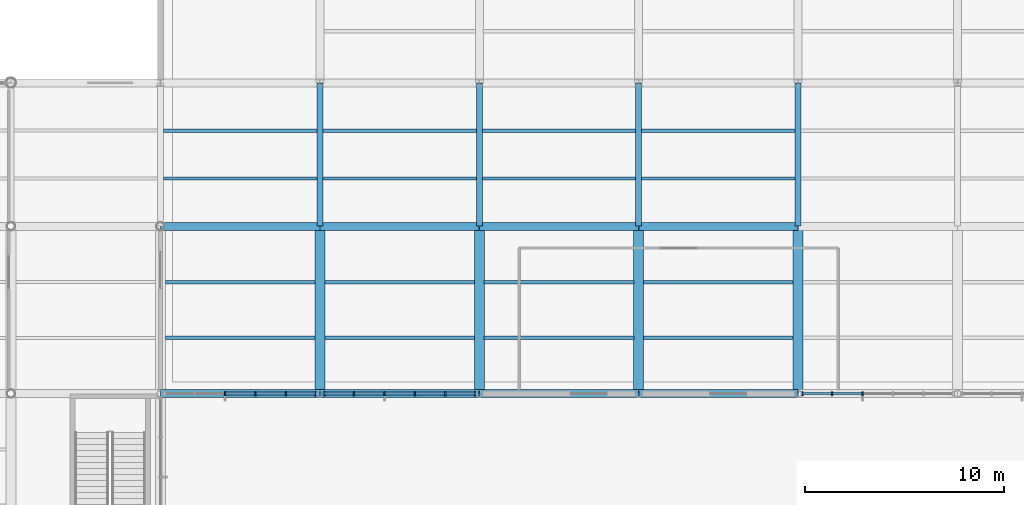
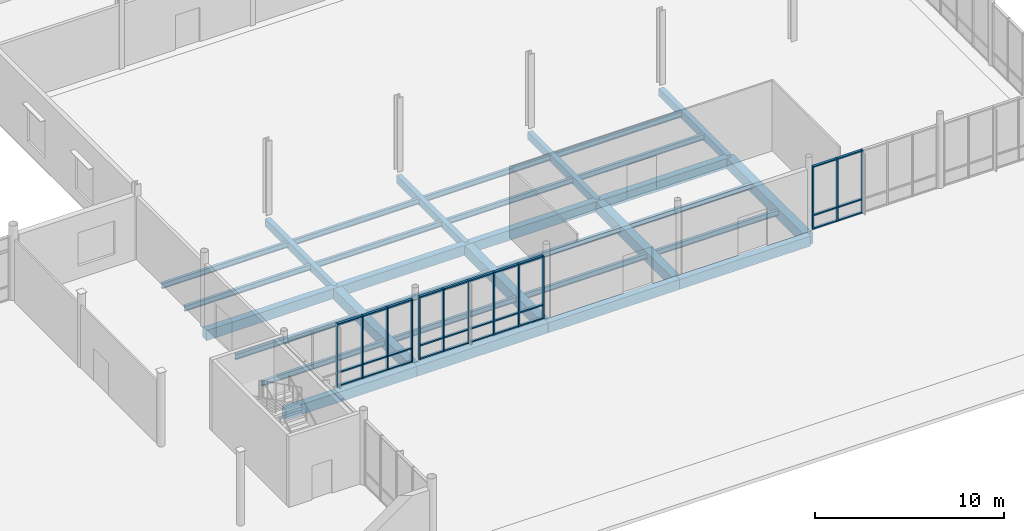
# One storey, part 23 of 82: 43 members, 32 beams, 3 elements without a shape of their own.
"""IFC4 building model written with IfcOpenShell, lengths in metres."""

from ifc_helpers import new_model, si_unit, direction, frame, origin, origin_2d, place, context, subcontext, project, spatial, rectangle, i_section, extrude, material, layer, layer_set, material_profile, profile_set, type_object, element, aggregate, save


model = new_model("IFC4")

# Units and contexts
model_context = context("Model", 3, precision=1e-05, world=origin(), true_north=direction((0.0, 1.0)))
body_context = subcontext(model_context, "Body", "Model", "MODEL_VIEW")
ifc_project = project(units=[si_unit("LENGTHUNIT", "METRE"), si_unit("AREAUNIT", "SQUARE_METRE"), si_unit("VOLUMEUNIT", "CUBIC_METRE"), si_unit("PLANEANGLEUNIT", "RADIAN"), si_unit("MASSUNIT", "GRAM", prefix="KILO")], contexts=[model_context])

# Site, building, storey
site_placement = place(None, origin())
site = spatial("IfcSite", under=ifc_project, at=site_placement, CompositionType="ELEMENT")
building_placement = place(site_placement, origin())
building = spatial("IfcBuilding", under=site, at=building_placement, Name="Yukiwa Park Conservatory and Herbarium", CompositionType="ELEMENT")
storey_placement = place(building_placement, origin())
storey = spatial("IfcBuildingStorey", under=building, at=storey_placement, Name="L00", CompositionType="ELEMENT", Elevation=0.0)

# Beams
ifc_material_1 = material(Name="Steel Q355D", Category="steel")
ifc_material_profile_1 = material_profile(ifc_material_1, i_section(OverallWidth=0.174072265625, OverallDepth=0.345947265625, WebThickness=0.006103515625, FlangeThickness=0.009033203125, FilletRadius=0.013916015625, at=origin_2d()), Name="HN 346x174x6x9")
ifc_profile_set_1 = profile_set([ifc_material_profile_1], Name="Steel Q355D")
beam_type_1 = type_object("IfcBeamType", Name="BM-JST-HN346", PredefinedType="JOIST", material=ifc_profile_set_1)
for number, where, z_axis, x_axis, name in (
    (1, (60.24609375, 18.39990234375, -0.43310546875), (1.0, 0.0, 0.0), (0.0, 1.0, 0.0), "L00 composite floor joist 89"),
    (2, (60.24609375, 21.199951171875, -0.43310546875), (1.0, 0.0, 0.0), (0.0, 1.0, 0.0), "L00 composite floor joist 90"),
):
    element("IfcBeam", number, at=place(storey_placement, frame(where, z_axis=z_axis, x_axis=x_axis)), inside=storey, type_object=beam_type_1, Name=name, PredefinedType="JOIST", context=body_context, shape_type="SweptSolid", body=[
        extrude(i_section(OverallWidth=0.174072265625, OverallDepth=0.345947265625, WebThickness=0.006103515625, FlangeThickness=0.009033203125, FilletRadius=0.013916015625, at=origin_2d()), origin(), (0.0, 0.0, 1.0), 7.5078125),
    ])
for number, where, z_axis, x_axis, name in (
    (3, (60.14599609375, 26.39990234375, -0.43310546875), (1.0, 0.0, 0.0), (0.0, 1.0, 0.0), "L00 composite floor joist 91"),
    (4, (60.14599609375, 28.800048828125, -0.43310546875), (1.0, 0.0, 0.0), (0.0, 1.0, 0.0), "L00 composite floor joist 92"),
):
    element("IfcBeam", number, at=place(storey_placement, frame(where, z_axis=z_axis, x_axis=x_axis)), inside=storey, type_object=beam_type_1, Name=name, PredefinedType="JOIST", context=body_context, shape_type="SweptSolid", body=[
        extrude(i_section(OverallWidth=0.174072265625, OverallDepth=0.345947265625, WebThickness=0.006103515625, FlangeThickness=0.009033203125, FilletRadius=0.013916015625, at=origin_2d()), origin(), (0.0, 0.0, 1.0), 7.7080078125),
    ])
for number, where, z_axis, x_axis, name in (
    (5, (68.24609375, 18.39990234375, -0.43310546875), (1.0, 0.0, 0.0), (0.0, 1.0, 0.0), "L00 composite floor joist 103"),
    (6, (68.24609375, 21.199951171875, -0.43310546875), (1.0, 0.0, 0.0), (0.0, 1.0, 0.0), "L00 composite floor joist 104"),
):
    element("IfcBeam", number, at=place(storey_placement, frame(where, z_axis=z_axis, x_axis=x_axis)), inside=storey, type_object=beam_type_1, Name=name, PredefinedType="JOIST", context=body_context, shape_type="SweptSolid", body=[
        extrude(i_section(OverallWidth=0.174072265625, OverallDepth=0.345947265625, WebThickness=0.006103515625, FlangeThickness=0.009033203125, FilletRadius=0.013916015625, at=origin_2d()), origin(), (0.0, 0.0, 1.0), 7.5078125),
    ])
for number, where, z_axis, x_axis, name in (
    (7, (68.14599609375, 26.39990234375, -0.43310546875), (1.0, 0.0, 0.0), (0.0, 1.0, 0.0), "L00 composite floor joist 105"),
    (8, (68.14599609375, 28.800048828125, -0.43310546875), (1.0, 0.0, 0.0), (0.0, 1.0, 0.0), "L00 composite floor joist 106"),
):
    element("IfcBeam", number, at=place(storey_placement, frame(where, z_axis=z_axis, x_axis=x_axis)), inside=storey, type_object=beam_type_1, Name=name, PredefinedType="JOIST", context=body_context, shape_type="SweptSolid", body=[
        extrude(i_section(OverallWidth=0.174072265625, OverallDepth=0.345947265625, WebThickness=0.006103515625, FlangeThickness=0.009033203125, FilletRadius=0.013916015625, at=origin_2d()), origin(), (0.0, 0.0, 1.0), 7.7080078125),
    ])
for number, where, z_axis, x_axis, name in (
    (9, (76.24609375, 18.39990234375, -0.43310546875), (1.0, 0.0, 0.0), (0.0, 1.0, 0.0), "L00 composite floor joist 121"),
    (10, (76.24609375, 21.199951171875, -0.43310546875), (1.0, 0.0, 0.0), (0.0, 1.0, 0.0), "L00 composite floor joist 122"),
):
    element("IfcBeam", number, at=place(storey_placement, frame(where, z_axis=z_axis, x_axis=x_axis)), inside=storey, type_object=beam_type_1, Name=name, PredefinedType="JOIST", context=body_context, shape_type="SweptSolid", body=[
        extrude(i_section(OverallWidth=0.174072265625, OverallDepth=0.345947265625, WebThickness=0.006103515625, FlangeThickness=0.009033203125, FilletRadius=0.013916015625, at=origin_2d()), origin(), (0.0, 0.0, 1.0), 7.5078125),
    ])
for number, where, z_axis, x_axis, name in (
    (11, (76.14599609375, 26.39990234375, -0.43310546875), (1.0, 0.0, 0.0), (0.0, 1.0, 0.0), "L00 composite floor joist 123"),
    (12, (76.14599609375, 28.800048828125, -0.43310546875), (1.0, 0.0, 0.0), (0.0, 1.0, 0.0), "L00 composite floor joist 124"),
):
    element("IfcBeam", number, at=place(storey_placement, frame(where, z_axis=z_axis, x_axis=x_axis)), inside=storey, type_object=beam_type_1, Name=name, PredefinedType="JOIST", context=body_context, shape_type="SweptSolid", body=[
        extrude(i_section(OverallWidth=0.174072265625, OverallDepth=0.345947265625, WebThickness=0.006103515625, FlangeThickness=0.009033203125, FilletRadius=0.013916015625, at=origin_2d()), origin(), (0.0, 0.0, 1.0), 7.7080078125),
    ])
for number, where, z_axis, x_axis, name in (
    (13, (84.24609375, 18.39990234375, -0.43310546875), (1.0, 0.0, 0.0), (0.0, 1.0, 0.0), "L00 composite floor joist 135"),
    (14, (84.24609375, 21.199951171875, -0.43310546875), (1.0, 0.0, 0.0), (0.0, 1.0, 0.0), "L00 composite floor joist 136"),
):
    element("IfcBeam", number, at=place(storey_placement, frame(where, z_axis=z_axis, x_axis=x_axis)), inside=storey, type_object=beam_type_1, Name=name, PredefinedType="JOIST", context=body_context, shape_type="SweptSolid", body=[
        extrude(i_section(OverallWidth=0.174072265625, OverallDepth=0.345947265625, WebThickness=0.006103515625, FlangeThickness=0.009033203125, FilletRadius=0.013916015625, at=origin_2d()), origin(), (0.0, 0.0, 1.0), 7.5078125),
    ])
for number, where, z_axis, x_axis, name in (
    (15, (84.14599609375, 26.39990234375, -0.43310546875), (1.0, 0.0, 0.0), (0.0, 1.0, 0.0), "L00 composite floor joist 137"),
    (16, (84.14599609375, 28.800048828125, -0.43310546875), (1.0, 0.0, 0.0), (0.0, 1.0, 0.0), "L00 composite floor joist 138"),
):
    element("IfcBeam", number, at=place(storey_placement, frame(where, z_axis=z_axis, x_axis=x_axis)), inside=storey, type_object=beam_type_1, Name=name, PredefinedType="JOIST", context=body_context, shape_type="SweptSolid", body=[
        extrude(i_section(OverallWidth=0.174072265625, OverallDepth=0.345947265625, WebThickness=0.006103515625, FlangeThickness=0.009033203125, FilletRadius=0.013916015625, at=origin_2d()), origin(), (0.0, 0.0, 1.0), 7.7080078125),
    ])
ifc_material_2 = material(Name="Concrete C40", Category="concrete")
ifc_material_profile_2 = material_profile(ifc_material_2, rectangle(XDim=0.300048828125, YDim=0.5, at=origin_2d()), Name="RC 300x500")
ifc_profile_set_2 = profile_set([ifc_material_profile_2], Name="Concrete C40")
beam_type_2 = type_object("IfcBeamType", Name="BM-RC-300X500", PredefinedType="BEAM", material=ifc_profile_set_2)
for number, where, z_axis, x_axis, name in (
    (17, (68.0, 24.006103515625, -0.510009765625), (0.0, 1.0, 0.0), (-1.0, 0.0, 0.0), "L00 grid girder Y-222"),
    (18, (76.0, 24.006103515625, -0.510009765625), (0.0, 1.0, 0.0), (-1.0, 0.0, 0.0), "L00 grid girder Y-231"),
    (19, (84.0, 24.006103515625, -0.510009765625), (0.0, 1.0, 0.0), (-1.0, 0.0, 0.0), "L00 grid girder Y-240"),
    (20, (92.0, 24.006103515625, -0.510009765625), (0.0, 1.0, 0.0), (-1.0, 0.0, 0.0), "L00 grid girder Y-248"),
):
    element("IfcBeam", number, at=place(storey_placement, frame(where, z_axis=z_axis, x_axis=x_axis)), inside=storey, type_object=beam_type_2, Name=name, PredefinedType="BEAM", context=body_context, shape_type="SweptSolid", body=[
        extrude(rectangle(XDim=0.300048828125, YDim=0.5, at=origin_2d()), origin(), (0.0, 0.0, 1.0), 7.18798828125),
    ])
ifc_material_3 = material(Name="Concrete C40", Category="concrete")
ifc_material_profile_3 = material_profile(ifc_material_3, rectangle(XDim=0.39990234375, YDim=0.64990234375, at=origin_2d()), Name="RC 400x650")
ifc_profile_set_3 = profile_set([ifc_material_profile_3], Name="Concrete C40")
beam_type_3 = type_object("IfcBeamType", Name="BM-RC-400X650", PredefinedType="BEAM", material=ifc_profile_set_3)
for number, where, z_axis, x_axis, name in (
    (21, (60.006103515625, 15.60009765625, -0.5849609375), (1.0, 0.0, 0.0), (0.0, 1.0, 0.0), "L00 grid beam X-25"),
    (22, (68.006103515625, 15.60009765625, -0.5849609375), (1.0, 0.0, 0.0), (0.0, 1.0, 0.0), "L00 grid beam X-26"),
    (23, (76.006103515625, 15.60009765625, -0.5849609375), (1.0, 0.0, 0.0), (0.0, 1.0, 0.0), "L00 grid beam X-27"),
    (24, (84.006103515625, 15.60009765625, -0.5849609375), (1.0, 0.0, 0.0), (0.0, 1.0, 0.0), "L00 grid beam X-28"),
    (25, (60.006103515625, 24.0, -0.5849609375), (1.0, 0.0, 0.0), (0.0, 1.0, 0.0), "L00 grid beam X-39"),
    (26, (68.006103515625, 24.0, -0.5849609375), (1.0, 0.0, 0.0), (0.0, 1.0, 0.0), "L00 grid beam X-40"),
    (27, (76.006103515625, 24.0, -0.5849609375), (1.0, 0.0, 0.0), (0.0, 1.0, 0.0), "L00 grid beam X-41"),
    (28, (84.006103515625, 24.0, -0.5849609375), (1.0, 0.0, 0.0), (0.0, 1.0, 0.0), "L00 grid beam X-42"),
):
    element("IfcBeam", number, at=place(storey_placement, frame(where, z_axis=z_axis, x_axis=x_axis)), inside=storey, type_object=beam_type_3, Name=name, PredefinedType="BEAM", context=body_context, shape_type="SweptSolid", body=[
        extrude(rectangle(XDim=0.39990234375, YDim=0.64990234375, at=origin_2d()), origin(), (0.0, 0.0, 1.0), 7.98779296875),
    ])
ifc_material_4 = material(Name="Concrete C40", Category="concrete")
ifc_material_profile_4 = material_profile(ifc_material_4, rectangle(XDim=0.5, YDim=0.699951171875, at=origin_2d()), Name="RC 500x700")
ifc_profile_set_4 = profile_set([ifc_material_profile_4], Name="Concrete C40")
beam_type_4 = type_object("IfcBeamType", Name="BM-RC-500X700", PredefinedType="BEAM", material=ifc_profile_set_4)
for number, where, z_axis, x_axis, name in (
    (29, (68.0, 15.60595703125, -0.610107421875), (0.0, 1.0, 0.0), (-1.0, 0.0, 0.0), "L00 grid girder Y-221"),
    (30, (76.0, 15.60595703125, -0.610107421875), (0.0, 1.0, 0.0), (-1.0, 0.0, 0.0), "L00 grid girder Y-230"),
    (31, (84.0, 15.60595703125, -0.610107421875), (0.0, 1.0, 0.0), (-1.0, 0.0, 0.0), "L00 grid girder Y-239"),
    (32, (92.0, 15.60595703125, -0.610107421875), (0.0, 1.0, 0.0), (-1.0, 0.0, 0.0), "L00 grid girder Y-247"),
):
    element("IfcBeam", number, at=place(storey_placement, frame(where, z_axis=z_axis, x_axis=x_axis)), inside=storey, type_object=beam_type_4, Name=name, PredefinedType="BEAM", context=body_context, shape_type="SweptSolid", body=[
        extrude(rectangle(XDim=0.5, YDim=0.699951171875, at=origin_2d()), origin(), (0.0, 0.0, 1.0), 8.387939453125),
    ])

# Curtain wall, members
ifc_material_5 = material(Name="Triple Low-E Insulated Glass", Category="glass")
ifc_layer = layer(ifc_material_5, 0.176025390625)
ifc_layer_set = layer_set([ifc_layer], Name="Triple Low-E Insulated Glass")
curtain_wall_type = type_object("IfcCurtainWallType", Name="CW-CONCOURSE-1600", PredefinedType="NOTDEFINED", material=ifc_layer_set)
curtain_wall_1_placement = place(storey_placement, origin())
curtain_wall_1 = element("IfcCurtainWall", 33, at=curtain_wall_1_placement, inside=storey, type_object=curtain_wall_type, Name="L00 unitised curtain wall CW-L00-007", PredefinedType="NOTDEFINED")
ifc_material_6 = material(Name="Anodised Aluminium", Category="aluminium")
member_type_1 = type_object("IfcMemberType", Name="MB-CW-MUL-80X180", PredefinedType="MULLION", material=ifc_material_6)
member_1_placement = place(storey_placement, frame((63.235595703125, 15.60009765625, 0.0), z_axis=(0.0, 0.0, 1.0), x_axis=(1.0, 0.0, 0.0)))
member_1 = element("IfcMember", 34, at=member_1_placement, type_object=member_type_1, Name="CW-L00-007 mullion 3", PredefinedType="MULLION", context=body_context, shape_type="SweptSolid", body=[
    extrude(rectangle(XDim=0.080078125, YDim=0.179931640625, at=origin_2d()), origin(), (0.0, 0.0, 1.0), 4.06005859375),
])
member_2_placement = place(storey_placement, frame((64.764404296875, 15.60009765625, 0.0), z_axis=(0.0, 0.0, 1.0), x_axis=(1.0, 0.0, 0.0)))
member_2 = element("IfcMember", 35, at=member_2_placement, type_object=member_type_1, Name="CW-L00-007 mullion 4", PredefinedType="MULLION", context=body_context, shape_type="SweptSolid", body=[
    extrude(rectangle(XDim=0.080078125, YDim=0.179931640625, at=origin_2d()), origin(), (0.0, 0.0, 1.0), 4.06005859375),
])
member_3_placement = place(storey_placement, frame((66.293212890625, 15.60009765625, 0.0), z_axis=(0.0, 0.0, 1.0), x_axis=(1.0, 0.0, 0.0)))
member_3 = element("IfcMember", 36, at=member_3_placement, type_object=member_type_1, Name="CW-L00-007 mullion 5", PredefinedType="MULLION", context=body_context, shape_type="SweptSolid", body=[
    extrude(rectangle(XDim=0.080078125, YDim=0.179931640625, at=origin_2d()), origin(), (0.0, 0.0, 1.0), 4.06005859375),
])
member_4_placement = place(storey_placement, frame((67.7822265625, 15.60009765625, 0.0), z_axis=(0.0, 0.0, 1.0), x_axis=(1.0, 0.0, 0.0)))
member_4 = element("IfcMember", 37, at=member_4_placement, type_object=member_type_1, Name="CW-L00-007 mullion 6", PredefinedType="MULLION", context=body_context, shape_type="SweptSolid", body=[
    extrude(rectangle(XDim=0.080078125, YDim=0.179931640625, at=origin_2d()), origin(), (0.0, 0.0, 1.0), 4.06005859375),
])

curtain_wall_2_placement = place(storey_placement, origin())
curtain_wall_2 = element("IfcCurtainWall", 38, at=curtain_wall_2_placement, inside=storey, type_object=curtain_wall_type, Name="L00 unitised curtain wall CW-L00-008", PredefinedType="NOTDEFINED")
member_5_placement = place(storey_placement, frame((68.2177734375, 15.60009765625, 0.0), z_axis=(0.0, 0.0, 1.0), x_axis=(1.0, 0.0, 0.0)))
member_5 = element("IfcMember", 39, at=member_5_placement, type_object=member_type_1, Name="CW-L00-008 mullion 1", PredefinedType="MULLION", context=body_context, shape_type="SweptSolid", body=[
    extrude(rectangle(XDim=0.080078125, YDim=0.179931640625, at=origin_2d()), origin(), (0.0, 0.0, 1.0), 4.06005859375),
])
member_6_placement = place(storey_placement, frame((69.706787109375, 15.60009765625, 0.0), z_axis=(0.0, 0.0, 1.0), x_axis=(1.0, 0.0, 0.0)))
member_6 = element("IfcMember", 40, at=member_6_placement, type_object=member_type_1, Name="CW-L00-008 mullion 2", PredefinedType="MULLION", context=body_context, shape_type="SweptSolid", body=[
    extrude(rectangle(XDim=0.080078125, YDim=0.179931640625, at=origin_2d()), origin(), (0.0, 0.0, 1.0), 4.06005859375),
])
member_7_placement = place(storey_placement, frame((71.235595703125, 15.60009765625, 0.0), z_axis=(0.0, 0.0, 1.0), x_axis=(1.0, 0.0, 0.0)))
member_7 = element("IfcMember", 41, at=member_7_placement, type_object=member_type_1, Name="CW-L00-008 mullion 3", PredefinedType="MULLION", context=body_context, shape_type="SweptSolid", body=[
    extrude(rectangle(XDim=0.080078125, YDim=0.179931640625, at=origin_2d()), origin(), (0.0, 0.0, 1.0), 4.06005859375),
])
member_8_placement = place(storey_placement, frame((72.764404296875, 15.60009765625, 0.0), z_axis=(0.0, 0.0, 1.0), x_axis=(1.0, 0.0, 0.0)))
member_8 = element("IfcMember", 42, at=member_8_placement, type_object=member_type_1, Name="CW-L00-008 mullion 4", PredefinedType="MULLION", context=body_context, shape_type="SweptSolid", body=[
    extrude(rectangle(XDim=0.080078125, YDim=0.179931640625, at=origin_2d()), origin(), (0.0, 0.0, 1.0), 4.06005859375),
])
member_9_placement = place(storey_placement, frame((74.293212890625, 15.60009765625, 0.0), z_axis=(0.0, 0.0, 1.0), x_axis=(1.0, 0.0, 0.0)))
member_9 = element("IfcMember", 43, at=member_9_placement, type_object=member_type_1, Name="CW-L00-008 mullion 5", PredefinedType="MULLION", context=body_context, shape_type="SweptSolid", body=[
    extrude(rectangle(XDim=0.080078125, YDim=0.179931640625, at=origin_2d()), origin(), (0.0, 0.0, 1.0), 4.06005859375),
])
member_10_placement = place(storey_placement, frame((75.7822265625, 15.60009765625, 0.0), z_axis=(0.0, 0.0, 1.0), x_axis=(1.0, 0.0, 0.0)))
member_10 = element("IfcMember", 44, at=member_10_placement, type_object=member_type_1, Name="CW-L00-008 mullion 6", PredefinedType="MULLION", context=body_context, shape_type="SweptSolid", body=[
    extrude(rectangle(XDim=0.080078125, YDim=0.179931640625, at=origin_2d()), origin(), (0.0, 0.0, 1.0), 4.06005859375),
])

curtain_wall_3_placement = place(storey_placement, origin())
curtain_wall_3 = element("IfcCurtainWall", 45, at=curtain_wall_3_placement, inside=storey, type_object=curtain_wall_type, Name="L00 unitised curtain wall CW-L00-009", PredefinedType="NOTDEFINED")
member_11_placement = place(storey_placement, frame((92.2177734375, 15.60009765625, 0.0), z_axis=(0.0, 0.0, 1.0), x_axis=(1.0, 0.0, 0.0)))
member_11 = element("IfcMember", 46, at=member_11_placement, type_object=member_type_1, Name="CW-L00-009 mullion 1", PredefinedType="MULLION", context=body_context, shape_type="SweptSolid", body=[
    extrude(rectangle(XDim=0.080078125, YDim=0.179931640625, at=origin_2d()), origin(), (0.0, 0.0, 1.0), 4.06005859375),
])
member_12_placement = place(storey_placement, frame((93.706787109375, 15.60009765625, 0.0), z_axis=(0.0, 0.0, 1.0), x_axis=(1.0, 0.0, 0.0)))
member_12 = element("IfcMember", 47, at=member_12_placement, type_object=member_type_1, Name="CW-L00-009 mullion 2", PredefinedType="MULLION", context=body_context, shape_type="SweptSolid", body=[
    extrude(rectangle(XDim=0.080078125, YDim=0.179931640625, at=origin_2d()), origin(), (0.0, 0.0, 1.0), 4.06005859375),
])
member_13_placement = place(storey_placement, frame((95.235595703125, 15.60009765625, 0.0), z_axis=(0.0, 0.0, 1.0), x_axis=(1.0, 0.0, 0.0)))
member_13 = element("IfcMember", 48, at=member_13_placement, type_object=member_type_1, Name="CW-L00-009 mullion 3", PredefinedType="MULLION", context=body_context, shape_type="SweptSolid", body=[
    extrude(rectangle(XDim=0.080078125, YDim=0.179931640625, at=origin_2d()), origin(), (0.0, 0.0, 1.0), 4.06005859375),
])

# Member
ifc_material_7 = material(Name="Anodised Aluminium", Category="aluminium")
member_type_2 = type_object("IfcMemberType", Name="MB-CW-TRN-80X150", PredefinedType="USERDEFINED", material=ifc_material_7)
member_14_placement = place(storey_placement, frame((64.0, 15.60009765625, 0.0), z_axis=(0.0, 0.0, 1.0), x_axis=(1.0, 0.0, 0.0)))
member_14 = element("IfcMember", 49, at=member_14_placement, type_object=member_type_2, Name="CW-L00-007 transom 3.1", ObjectType="TRANSOM", PredefinedType="USERDEFINED", context=body_context, shape_type="SweptSolid", body=[
    extrude(rectangle(XDim=1.448974609375, YDim=0.14990234375, at=origin_2d()), origin(), (0.0, 0.0, 1.0), 0.080078125),
])

member_15_placement = place(storey_placement, frame((64.0, 15.60009765625, 0.85986328125), z_axis=(0.0, 0.0, 1.0), x_axis=(1.0, 0.0, 0.0)))
member_15 = element("IfcMember", 50, at=member_15_placement, type_object=member_type_2, Name="CW-L00-007 transom 3.2", ObjectType="TRANSOM", PredefinedType="USERDEFINED", context=body_context, shape_type="SweptSolid", body=[
    extrude(rectangle(XDim=1.448974609375, YDim=0.14990234375, at=origin_2d()), origin(), (0.0, 0.0, 1.0), 0.080078125),
])

member_16_placement = place(storey_placement, frame((64.0, 15.60009765625, 3.97998046875), z_axis=(0.0, 0.0, 1.0), x_axis=(1.0, 0.0, 0.0)))
member_16 = element("IfcMember", 51, at=member_16_placement, type_object=member_type_2, Name="CW-L00-007 transom 3.3", ObjectType="TRANSOM", PredefinedType="USERDEFINED", context=body_context, shape_type="SweptSolid", body=[
    extrude(rectangle(XDim=1.448974609375, YDim=0.14990234375, at=origin_2d()), origin(), (0.0, 0.0, 1.0), 0.080078125),
])

member_17_placement = place(storey_placement, frame((65.52880859375, 15.60009765625, 0.0), z_axis=(0.0, 0.0, 1.0), x_axis=(1.0, 0.0, 0.0)))
member_17 = element("IfcMember", 52, at=member_17_placement, type_object=member_type_2, Name="CW-L00-007 transom 4.1", ObjectType="TRANSOM", PredefinedType="USERDEFINED", context=body_context, shape_type="SweptSolid", body=[
    extrude(rectangle(XDim=1.448974609375, YDim=0.14990234375, at=origin_2d()), origin(), (0.0, 0.0, 1.0), 0.080078125),
])

member_18_placement = place(storey_placement, frame((65.52880859375, 15.60009765625, 0.85986328125), z_axis=(0.0, 0.0, 1.0), x_axis=(1.0, 0.0, 0.0)))
member_18 = element("IfcMember", 53, at=member_18_placement, type_object=member_type_2, Name="CW-L00-007 transom 4.2", ObjectType="TRANSOM", PredefinedType="USERDEFINED", context=body_context, shape_type="SweptSolid", body=[
    extrude(rectangle(XDim=1.448974609375, YDim=0.14990234375, at=origin_2d()), origin(), (0.0, 0.0, 1.0), 0.080078125),
])

member_19_placement = place(storey_placement, frame((65.52880859375, 15.60009765625, 3.97998046875), z_axis=(0.0, 0.0, 1.0), x_axis=(1.0, 0.0, 0.0)))
member_19 = element("IfcMember", 54, at=member_19_placement, type_object=member_type_2, Name="CW-L00-007 transom 4.3", ObjectType="TRANSOM", PredefinedType="USERDEFINED", context=body_context, shape_type="SweptSolid", body=[
    extrude(rectangle(XDim=1.448974609375, YDim=0.14990234375, at=origin_2d()), origin(), (0.0, 0.0, 1.0), 0.080078125),
])

member_20_placement = place(storey_placement, frame((67.057861328125, 15.60009765625, 0.0), z_axis=(0.0, 0.0, 1.0), x_axis=(1.0, 0.0, 0.0)))
member_20 = element("IfcMember", 55, at=member_20_placement, type_object=member_type_2, Name="CW-L00-007 transom 5.1", ObjectType="TRANSOM", PredefinedType="USERDEFINED", context=body_context, shape_type="SweptSolid", body=[
    extrude(rectangle(XDim=1.448974609375, YDim=0.14990234375, at=origin_2d()), origin(), (0.0, 0.0, 1.0), 0.080078125),
])

member_21_placement = place(storey_placement, frame((67.057861328125, 15.60009765625, 0.85986328125), z_axis=(0.0, 0.0, 1.0), x_axis=(1.0, 0.0, 0.0)))
member_21 = element("IfcMember", 56, at=member_21_placement, type_object=member_type_2, Name="CW-L00-007 transom 5.2", ObjectType="TRANSOM", PredefinedType="USERDEFINED", context=body_context, shape_type="SweptSolid", body=[
    extrude(rectangle(XDim=1.448974609375, YDim=0.14990234375, at=origin_2d()), origin(), (0.0, 0.0, 1.0), 0.080078125),
])

member_22_placement = place(storey_placement, frame((67.057861328125, 15.60009765625, 3.97998046875), z_axis=(0.0, 0.0, 1.0), x_axis=(1.0, 0.0, 0.0)))
member_22 = element("IfcMember", 57, at=member_22_placement, type_object=member_type_2, Name="CW-L00-007 transom 5.3", ObjectType="TRANSOM", PredefinedType="USERDEFINED", context=body_context, shape_type="SweptSolid", body=[
    extrude(rectangle(XDim=1.448974609375, YDim=0.14990234375, at=origin_2d()), origin(), (0.0, 0.0, 1.0), 0.080078125),
])

aggregate(curtain_wall_1, [member_1, member_2, member_3, member_4, member_14, member_15, member_16, member_17, member_18, member_19, member_20, member_21, member_22])

member_23_placement = place(storey_placement, frame((68.942138671875, 15.60009765625, 0.0), z_axis=(0.0, 0.0, 1.0), x_axis=(1.0, 0.0, 0.0)))
member_23 = element("IfcMember", 58, at=member_23_placement, type_object=member_type_2, Name="CW-L00-008 transom 1.1", ObjectType="TRANSOM", PredefinedType="USERDEFINED", context=body_context, shape_type="SweptSolid", body=[
    extrude(rectangle(XDim=1.448974609375, YDim=0.14990234375, at=origin_2d()), origin(), (0.0, 0.0, 1.0), 0.080078125),
])

member_24_placement = place(storey_placement, frame((68.942138671875, 15.60009765625, 0.85986328125), z_axis=(0.0, 0.0, 1.0), x_axis=(1.0, 0.0, 0.0)))
member_24 = element("IfcMember", 59, at=member_24_placement, type_object=member_type_2, Name="CW-L00-008 transom 1.2", ObjectType="TRANSOM", PredefinedType="USERDEFINED", context=body_context, shape_type="SweptSolid", body=[
    extrude(rectangle(XDim=1.448974609375, YDim=0.14990234375, at=origin_2d()), origin(), (0.0, 0.0, 1.0), 0.080078125),
])

member_25_placement = place(storey_placement, frame((68.942138671875, 15.60009765625, 3.97998046875), z_axis=(0.0, 0.0, 1.0), x_axis=(1.0, 0.0, 0.0)))
member_25 = element("IfcMember", 60, at=member_25_placement, type_object=member_type_2, Name="CW-L00-008 transom 1.3", ObjectType="TRANSOM", PredefinedType="USERDEFINED", context=body_context, shape_type="SweptSolid", body=[
    extrude(rectangle(XDim=1.448974609375, YDim=0.14990234375, at=origin_2d()), origin(), (0.0, 0.0, 1.0), 0.080078125),
])

member_26_placement = place(storey_placement, frame((70.47119140625, 15.60009765625, 0.0), z_axis=(0.0, 0.0, 1.0), x_axis=(1.0, 0.0, 0.0)))
member_26 = element("IfcMember", 61, at=member_26_placement, type_object=member_type_2, Name="CW-L00-008 transom 2.1", ObjectType="TRANSOM", PredefinedType="USERDEFINED", context=body_context, shape_type="SweptSolid", body=[
    extrude(rectangle(XDim=1.448974609375, YDim=0.14990234375, at=origin_2d()), origin(), (0.0, 0.0, 1.0), 0.080078125),
])

member_27_placement = place(storey_placement, frame((70.47119140625, 15.60009765625, 0.85986328125), z_axis=(0.0, 0.0, 1.0), x_axis=(1.0, 0.0, 0.0)))
member_27 = element("IfcMember", 62, at=member_27_placement, type_object=member_type_2, Name="CW-L00-008 transom 2.2", ObjectType="TRANSOM", PredefinedType="USERDEFINED", context=body_context, shape_type="SweptSolid", body=[
    extrude(rectangle(XDim=1.448974609375, YDim=0.14990234375, at=origin_2d()), origin(), (0.0, 0.0, 1.0), 0.080078125),
])

member_28_placement = place(storey_placement, frame((70.47119140625, 15.60009765625, 3.97998046875), z_axis=(0.0, 0.0, 1.0), x_axis=(1.0, 0.0, 0.0)))
member_28 = element("IfcMember", 63, at=member_28_placement, type_object=member_type_2, Name="CW-L00-008 transom 2.3", ObjectType="TRANSOM", PredefinedType="USERDEFINED", context=body_context, shape_type="SweptSolid", body=[
    extrude(rectangle(XDim=1.448974609375, YDim=0.14990234375, at=origin_2d()), origin(), (0.0, 0.0, 1.0), 0.080078125),
])

member_29_placement = place(storey_placement, frame((72.0, 15.60009765625, 0.0), z_axis=(0.0, 0.0, 1.0), x_axis=(1.0, 0.0, 0.0)))
member_29 = element("IfcMember", 64, at=member_29_placement, type_object=member_type_2, Name="CW-L00-008 transom 3.1", ObjectType="TRANSOM", PredefinedType="USERDEFINED", context=body_context, shape_type="SweptSolid", body=[
    extrude(rectangle(XDim=1.448974609375, YDim=0.14990234375, at=origin_2d()), origin(), (0.0, 0.0, 1.0), 0.080078125),
])

member_30_placement = place(storey_placement, frame((72.0, 15.60009765625, 0.85986328125), z_axis=(0.0, 0.0, 1.0), x_axis=(1.0, 0.0, 0.0)))
member_30 = element("IfcMember", 65, at=member_30_placement, type_object=member_type_2, Name="CW-L00-008 transom 3.2", ObjectType="TRANSOM", PredefinedType="USERDEFINED", context=body_context, shape_type="SweptSolid", body=[
    extrude(rectangle(XDim=1.448974609375, YDim=0.14990234375, at=origin_2d()), origin(), (0.0, 0.0, 1.0), 0.080078125),
])

member_31_placement = place(storey_placement, frame((72.0, 15.60009765625, 3.97998046875), z_axis=(0.0, 0.0, 1.0), x_axis=(1.0, 0.0, 0.0)))
member_31 = element("IfcMember", 66, at=member_31_placement, type_object=member_type_2, Name="CW-L00-008 transom 3.3", ObjectType="TRANSOM", PredefinedType="USERDEFINED", context=body_context, shape_type="SweptSolid", body=[
    extrude(rectangle(XDim=1.448974609375, YDim=0.14990234375, at=origin_2d()), origin(), (0.0, 0.0, 1.0), 0.080078125),
])

member_32_placement = place(storey_placement, frame((73.52880859375, 15.60009765625, 0.0), z_axis=(0.0, 0.0, 1.0), x_axis=(1.0, 0.0, 0.0)))
member_32 = element("IfcMember", 67, at=member_32_placement, type_object=member_type_2, Name="CW-L00-008 transom 4.1", ObjectType="TRANSOM", PredefinedType="USERDEFINED", context=body_context, shape_type="SweptSolid", body=[
    extrude(rectangle(XDim=1.448974609375, YDim=0.14990234375, at=origin_2d()), origin(), (0.0, 0.0, 1.0), 0.080078125),
])

member_33_placement = place(storey_placement, frame((73.52880859375, 15.60009765625, 0.85986328125), z_axis=(0.0, 0.0, 1.0), x_axis=(1.0, 0.0, 0.0)))
member_33 = element("IfcMember", 68, at=member_33_placement, type_object=member_type_2, Name="CW-L00-008 transom 4.2", ObjectType="TRANSOM", PredefinedType="USERDEFINED", context=body_context, shape_type="SweptSolid", body=[
    extrude(rectangle(XDim=1.448974609375, YDim=0.14990234375, at=origin_2d()), origin(), (0.0, 0.0, 1.0), 0.080078125),
])

member_34_placement = place(storey_placement, frame((73.52880859375, 15.60009765625, 3.97998046875), z_axis=(0.0, 0.0, 1.0), x_axis=(1.0, 0.0, 0.0)))
member_34 = element("IfcMember", 69, at=member_34_placement, type_object=member_type_2, Name="CW-L00-008 transom 4.3", ObjectType="TRANSOM", PredefinedType="USERDEFINED", context=body_context, shape_type="SweptSolid", body=[
    extrude(rectangle(XDim=1.448974609375, YDim=0.14990234375, at=origin_2d()), origin(), (0.0, 0.0, 1.0), 0.080078125),
])

member_35_placement = place(storey_placement, frame((75.057861328125, 15.60009765625, 0.0), z_axis=(0.0, 0.0, 1.0), x_axis=(1.0, 0.0, 0.0)))
member_35 = element("IfcMember", 70, at=member_35_placement, type_object=member_type_2, Name="CW-L00-008 transom 5.1", ObjectType="TRANSOM", PredefinedType="USERDEFINED", context=body_context, shape_type="SweptSolid", body=[
    extrude(rectangle(XDim=1.448974609375, YDim=0.14990234375, at=origin_2d()), origin(), (0.0, 0.0, 1.0), 0.080078125),
])

member_36_placement = place(storey_placement, frame((75.057861328125, 15.60009765625, 0.85986328125), z_axis=(0.0, 0.0, 1.0), x_axis=(1.0, 0.0, 0.0)))
member_36 = element("IfcMember", 71, at=member_36_placement, type_object=member_type_2, Name="CW-L00-008 transom 5.2", ObjectType="TRANSOM", PredefinedType="USERDEFINED", context=body_context, shape_type="SweptSolid", body=[
    extrude(rectangle(XDim=1.448974609375, YDim=0.14990234375, at=origin_2d()), origin(), (0.0, 0.0, 1.0), 0.080078125),
])

member_37_placement = place(storey_placement, frame((75.057861328125, 15.60009765625, 3.97998046875), z_axis=(0.0, 0.0, 1.0), x_axis=(1.0, 0.0, 0.0)))
member_37 = element("IfcMember", 72, at=member_37_placement, type_object=member_type_2, Name="CW-L00-008 transom 5.3", ObjectType="TRANSOM", PredefinedType="USERDEFINED", context=body_context, shape_type="SweptSolid", body=[
    extrude(rectangle(XDim=1.448974609375, YDim=0.14990234375, at=origin_2d()), origin(), (0.0, 0.0, 1.0), 0.080078125),
])

aggregate(curtain_wall_2, [member_5, member_6, member_7, member_8, member_9, member_10, member_23, member_24, member_25, member_26, member_27, member_28, member_29, member_30, member_31, member_32, member_33, member_34, member_35, member_36, member_37])

member_38_placement = place(storey_placement, frame((92.942138671875, 15.60009765625, 0.0), z_axis=(0.0, 0.0, 1.0), x_axis=(1.0, 0.0, 0.0)))
member_38 = element("IfcMember", 73, at=member_38_placement, type_object=member_type_2, Name="CW-L00-009 transom 1.1", ObjectType="TRANSOM", PredefinedType="USERDEFINED", context=body_context, shape_type="SweptSolid", body=[
    extrude(rectangle(XDim=1.448974609375, YDim=0.14990234375, at=origin_2d()), origin(), (0.0, 0.0, 1.0), 0.080078125),
])

member_39_placement = place(storey_placement, frame((92.942138671875, 15.60009765625, 0.85986328125), z_axis=(0.0, 0.0, 1.0), x_axis=(1.0, 0.0, 0.0)))
member_39 = element("IfcMember", 74, at=member_39_placement, type_object=member_type_2, Name="CW-L00-009 transom 1.2", ObjectType="TRANSOM", PredefinedType="USERDEFINED", context=body_context, shape_type="SweptSolid", body=[
    extrude(rectangle(XDim=1.448974609375, YDim=0.14990234375, at=origin_2d()), origin(), (0.0, 0.0, 1.0), 0.080078125),
])

member_40_placement = place(storey_placement, frame((92.942138671875, 15.60009765625, 3.97998046875), z_axis=(0.0, 0.0, 1.0), x_axis=(1.0, 0.0, 0.0)))
member_40 = element("IfcMember", 75, at=member_40_placement, type_object=member_type_2, Name="CW-L00-009 transom 1.3", ObjectType="TRANSOM", PredefinedType="USERDEFINED", context=body_context, shape_type="SweptSolid", body=[
    extrude(rectangle(XDim=1.448974609375, YDim=0.14990234375, at=origin_2d()), origin(), (0.0, 0.0, 1.0), 0.080078125),
])

member_41_placement = place(storey_placement, frame((94.47119140625, 15.60009765625, 0.0), z_axis=(0.0, 0.0, 1.0), x_axis=(1.0, 0.0, 0.0)))
member_41 = element("IfcMember", 76, at=member_41_placement, type_object=member_type_2, Name="CW-L00-009 transom 2.1", ObjectType="TRANSOM", PredefinedType="USERDEFINED", context=body_context, shape_type="SweptSolid", body=[
    extrude(rectangle(XDim=1.448974609375, YDim=0.14990234375, at=origin_2d()), origin(), (0.0, 0.0, 1.0), 0.080078125),
])

member_42_placement = place(storey_placement, frame((94.47119140625, 15.60009765625, 0.85986328125), z_axis=(0.0, 0.0, 1.0), x_axis=(1.0, 0.0, 0.0)))
member_42 = element("IfcMember", 77, at=member_42_placement, type_object=member_type_2, Name="CW-L00-009 transom 2.2", ObjectType="TRANSOM", PredefinedType="USERDEFINED", context=body_context, shape_type="SweptSolid", body=[
    extrude(rectangle(XDim=1.448974609375, YDim=0.14990234375, at=origin_2d()), origin(), (0.0, 0.0, 1.0), 0.080078125),
])

member_43_placement = place(storey_placement, frame((94.47119140625, 15.60009765625, 3.97998046875), z_axis=(0.0, 0.0, 1.0), x_axis=(1.0, 0.0, 0.0)))
member_43 = element("IfcMember", 78, at=member_43_placement, type_object=member_type_2, Name="CW-L00-009 transom 2.3", ObjectType="TRANSOM", PredefinedType="USERDEFINED", context=body_context, shape_type="SweptSolid", body=[
    extrude(rectangle(XDim=1.448974609375, YDim=0.14990234375, at=origin_2d()), origin(), (0.0, 0.0, 1.0), 0.080078125),
])

aggregate(curtain_wall_3, [member_11, member_12, member_13, member_38, member_39, member_40, member_41, member_42, member_43])

save(model, "model.ifc")
